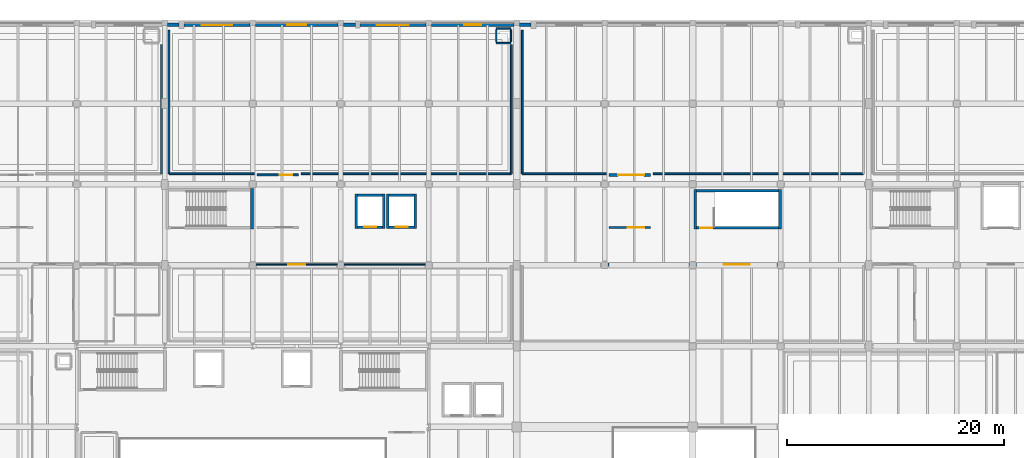
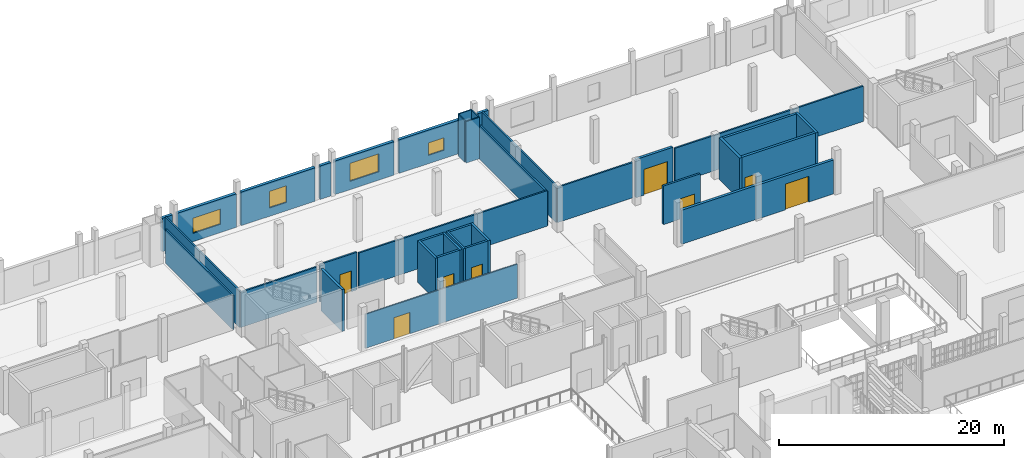
# One storey, part 93 of 104: 37 walls, 8 doors, 4 windows, 12 openings.
"""IFC4 building model written with IfcOpenShell, lengths in metres."""

from ifc_helpers import new_model, si_unit, direction, frame, frame_2d, origin, place, context, subcontext, project, spatial, rectangle, extrude, material, layer, layer_set, type_object, element, fill, save


model = new_model("IFC4")

# Units and contexts
model_context = context("Model", 3, precision=1e-05, world=origin(), true_north=direction((0.0, 1.0)))
body_context = subcontext(model_context, "Body", "Model", "MODEL_VIEW")
ifc_project = project(units=[si_unit("LENGTHUNIT", "METRE"), si_unit("AREAUNIT", "SQUARE_METRE"), si_unit("VOLUMEUNIT", "CUBIC_METRE"), si_unit("PLANEANGLEUNIT", "RADIAN"), si_unit("MASSUNIT", "GRAM", prefix="KILO")], contexts=[model_context])

# Site, building, storey
site_placement = place(None, origin())
site = spatial("IfcSite", under=ifc_project, at=site_placement, CompositionType="ELEMENT")
building_placement = place(site_placement, origin())
building = spatial("IfcBuilding", under=site, at=building_placement, Name="Kaelora Sail Theatre", CompositionType="ELEMENT")
storey_placement = place(building_placement, frame((0.0, 0.0, 5.39990234375)))
storey = spatial("IfcBuildingStorey", under=building, at=storey_placement, Name="L01", CompositionType="ELEMENT", Elevation=5.39990234375)

# Wall
ifc_material_1 = material(Name="Concrete C40/50", Category="concrete")
ifc_layer_1 = layer(ifc_material_1, 0.25)
ifc_layer_set_1 = layer_set([ifc_layer_1], Name="Concrete C40/50")
wall_type_1 = type_object("IfcWallType", Name="ARC-WL-CW-250", PredefinedType="SHEAR", material=ifc_layer_set_1)
wall_1_placement = place(storey_placement, frame((41.925048828125, 94.10009765625, 0.0), z_axis=(0.0, 0.0, 1.0), x_axis=(0.0, 1.0, 0.0)))
element("IfcWall", 1, at=wall_1_placement, inside=storey, type_object=wall_type_1, Name="Stair shaft ST-K2 wall L01-E", PredefinedType="SHEAR", context=body_context, shape_type="SweptSolid", body=[
    extrude(rectangle(XDim=3.75, YDim=0.25, at=frame_2d((1.875, 0.0))), origin(), (0.0, 0.0, 1.0), 4.525146484375),
])

# Wall, opening, door
wall_2_placement = place(storey_placement, frame((82.85498046875, 94.22509765625, 0.0), z_axis=(0.0, 0.0, 1.0), x_axis=(1.0, 0.0, 0.0)))
wall_2 = element("IfcWall", 2, at=wall_2_placement, inside=storey, type_object=wall_type_1, Name="Stair shaft ST-K3 wall L01-S", PredefinedType="SHEAR", context=body_context, shape_type="SweptSolid", body=[
    extrude(rectangle(XDim=7.5400390625, YDim=0.25, at=frame_2d((3.77001953125, 0.0))), origin(), (0.0, 0.0, 1.0), 4.525146484375),
])
opening_1_placement = place(wall_2_placement, frame((0.320068359375, 0.0, 0.0)))
opening_1 = element("IfcOpeningElement", 3, at=opening_1_placement, cuts=wall_2, Name="Opening FD-02", PredefinedType="OPENING", context=body_context, shape_type="SweptSolid", body=[
    extrude(rectangle(XDim=1.10009765625, YDim=2.199951171875, at=frame_2d((0.550048828125, 1.10009765625))), frame((0.0, 0.135, 0.0), z_axis=(0.0, -1.0, 0.0), x_axis=(1.0, 0.0, 0.0)), (0.0, 0.0, 1.0), 0.27),
])
ifc_material_2 = material(Name="Acoustic steel single stair/lobby fire door EI 90-C", Category="steel")
door_type_1 = type_object("IfcDoorType", Name="ARC-DR-FD-02", OperationType="NOTDEFINED", PredefinedType="DOOR", material=ifc_material_2)
door_1_placement = place(opening_1_placement, origin())
door_1 = element("IfcDoor", 4, at=door_1_placement, inside=storey, type_object=door_type_1, Name="Stair ST-K3 door (L01)", OperationType="SINGLE_SWING_LEFT", OverallHeight=2.199951171875, OverallWidth=1.10009765625, PredefinedType="DOOR", context=body_context, shape_type="SweptSolid", body=[
    extrude(rectangle(XDim=1.10009765625, YDim=2.199951171875, at=frame_2d((0.550048828125, 1.10009765625))), frame((0.0, 0.02490234375, 0.0), z_axis=(0.0, -1.0, 0.0), x_axis=(1.0, 0.0, 0.0)), (0.0, 0.0, 1.0), 0.050048828125),
])
fill(opening_1, door_1)

# Walls
wall_3_placement = place(storey_placement, frame((82.85498046875, 97.625, 0.0), z_axis=(0.0, 0.0, 1.0), x_axis=(1.0, 0.0, 0.0)))
element("IfcWall", 5, at=wall_3_placement, inside=storey, type_object=wall_type_1, Name="Stair shaft ST-K3 wall L01-N", PredefinedType="SHEAR", context=body_context, shape_type="SweptSolid", body=[
    extrude(rectangle(XDim=7.5400390625, YDim=0.25, at=frame_2d((3.77001953125, 0.0))), origin(), (0.0, 0.0, 1.0), 4.525146484375),
])
for number, where, z_axis, x_axis, name in (
    (6, (82.72509765625, 94.10009765625, 0.0), (0.0, 0.0, 1.0), (0.0, 1.0, 0.0), "Stair shaft ST-K3 wall L01-W"),
    (7, (90.52490234375, 94.10009765625, 0.0), (0.0, 0.0, 1.0), (0.0, 1.0, 0.0), "Stair shaft ST-K3 wall L01-E"),
):
    element("IfcWall", number, at=place(storey_placement, frame(where, z_axis=z_axis, x_axis=x_axis)), inside=storey, type_object=wall_type_1, Name=name, PredefinedType="SHEAR", context=body_context, shape_type="SweptSolid", body=[
        extrude(rectangle(XDim=3.64990234375, YDim=0.25, at=frame_2d((1.824951171875, 0.0))), origin(), (0.0, 0.0, 1.0), 4.525146484375),
    ])

# Wall, opening, window
ifc_material_3 = material(Name="Concrete C40/50", Category="concrete")
ifc_layer_2 = layer(ifc_material_3, 0.300048828125)
ifc_layer_set_2 = layer_set([ifc_layer_2], Name="Concrete C40/50")
wall_type_2 = type_object("IfcWallType", Name="ARC-WL-EW-300", PredefinedType="SOLIDWALL", material=ifc_layer_set_2)
wall_4_placement = place(storey_placement, frame((35.679931640625, 112.919921875, 0.0), z_axis=(0.0, 0.0, 1.0), x_axis=(1.0, 0.0, 0.0)))
wall_4 = element("IfcWall", 8, at=wall_4_placement, inside=storey, type_object=wall_type_2, Name="North Conservatory/Production Facade Wall L01 B05", PredefinedType="SOLIDWALL", context=body_context, shape_type="SweptSolid", body=[
    extrude(rectangle(XDim=6.065185546875, YDim=0.300048828125, at=frame_2d((3.03271484375, 0.0))), origin(), (0.0, 0.0, 1.0), 3.63720703125),
])
opening_2_placement = place(wall_4_placement, frame((1.60693359375, 0.0, 0.89990234375)))
opening_2 = element("IfcOpeningElement", 9, at=opening_2_placement, cuts=wall_4, Name="Opening W-20", PredefinedType="OPENING", context=body_context, shape_type="SweptSolid", body=[
    extrude(rectangle(XDim=2.85009765625, YDim=1.64990234375, at=frame_2d((1.425048828125, 0.824951171875))), frame((0.0, 0.159902, 0.0), z_axis=(0.0, -1.0, 0.0), x_axis=(1.0, 0.0, 0.0)), (0.0, 0.0, 1.0), 0.320049),
])
ifc_material_4 = material(Name="Thermally broken aluminium and low-E double glazing", Category="aluminium")
window_type_1 = type_object("IfcWindowType", Name="ARC-WIN-W-20", PartitioningType="SINGLE_PANEL", PredefinedType="WINDOW", material=ifc_material_4)
window_1_placement = place(opening_2_placement, origin())
window_1 = element("IfcWindow", 10, at=window_1_placement, inside=storey, type_object=window_type_1, Name="North facade window L01 B05", OverallHeight=1.64990234375, OverallWidth=2.85009765625, PartitioningType="SINGLE_PANEL", PredefinedType="WINDOW", context=body_context, shape_type="SweptSolid", body=[
    extrude(rectangle(XDim=2.85009765625, YDim=1.64990234375, at=frame_2d((1.425048828125, 0.824951171875))), frame((0.0, 0.030029296875, 0.0), z_axis=(0.0, -1.0, 0.0), x_axis=(1.0, 0.0, 0.0)), (0.0, 0.0, 1.0), 0.06005859375),
])
fill(opening_2, window_1)

# Wall
wall_5_placement = place(storey_placement, frame((34.155029296875, 112.919921875, 0.0), z_axis=(0.0, 0.0, 1.0), x_axis=(1.0, 0.0, 0.0)))
element("IfcWall", 11, at=wall_5_placement, inside=storey, type_object=wall_type_2, Name="North Facade Pilaster Spandrel Pier L01 B05", PredefinedType="SOLIDWALL", context=body_context, shape_type="SweptSolid", body=[
    extrude(rectangle(XDim=1.06494140625, YDim=0.300048828125, at=frame_2d((0.532470703125, 0.0))), origin(), (0.0, 0.0, 1.0), 3.63720703125),
])

# Wall, opening, window
wall_6_placement = place(storey_placement, frame((42.2548828125, 112.919921875, 0.0), z_axis=(0.0, 0.0, 1.0), x_axis=(1.0, 0.0, 0.0)))
wall_6 = element("IfcWall", 12, at=wall_6_placement, inside=storey, type_object=wall_type_2, Name="North Conservatory/Production Facade Wall L01 B06", PredefinedType="SOLIDWALL", context=body_context, shape_type="SweptSolid", body=[
    extrude(rectangle(XDim=7.590087890625, YDim=0.300048828125, at=frame_2d((3.794921875, 0.0))), origin(), (0.0, 0.0, 1.0), 3.63720703125),
])
opening_3_placement = place(wall_6_placement, frame((2.919921875, 0.0, 0.89990234375)))
opening_3 = element("IfcOpeningElement", 13, at=opening_3_placement, cuts=wall_6, Name="Opening W-23", PredefinedType="OPENING", context=body_context, shape_type="SweptSolid", body=[
    extrude(rectangle(XDim=1.75, YDim=1.800048828125, at=frame_2d((0.875, 0.89990234375))), frame((0.0, 0.159902, 0.0), z_axis=(0.0, -1.0, 0.0), x_axis=(1.0, 0.0, 0.0)), (0.0, 0.0, 1.0), 0.320049),
])
ifc_material_5 = material(Name="Thermally broken aluminium and low-E double glazing", Category="aluminium")
window_type_2 = type_object("IfcWindowType", Name="ARC-WIN-W-23", PartitioningType="SINGLE_PANEL", PredefinedType="WINDOW", material=ifc_material_5)
window_2_placement = place(opening_3_placement, origin())
window_2 = element("IfcWindow", 14, at=window_2_placement, inside=storey, type_object=window_type_2, Name="North facade window L01 B06", OverallHeight=1.800048828125, OverallWidth=1.75, PartitioningType="SINGLE_PANEL", PredefinedType="WINDOW", context=body_context, shape_type="SweptSolid", body=[
    extrude(rectangle(XDim=1.75, YDim=1.800048828125, at=frame_2d((0.875, 0.89990234375))), frame((0.0, 0.030029296875, 0.0), z_axis=(0.0, -1.0, 0.0), x_axis=(1.0, 0.0, 0.0)), (0.0, 0.0, 1.0), 0.06005859375),
])
fill(opening_3, window_2)

wall_7_placement = place(storey_placement, frame((51.85498046875, 112.919921875, 0.0), z_axis=(0.0, 0.0, 1.0), x_axis=(1.0, 0.0, 0.0)))
wall_7 = element("IfcWall", 15, at=wall_7_placement, inside=storey, type_object=wall_type_2, Name="North Conservatory/Production Facade Wall L01 B07", PredefinedType="SOLIDWALL", context=body_context, shape_type="SweptSolid", body=[
    extrude(rectangle(XDim=6.090087890625, YDim=0.300048828125, at=frame_2d((3.044921875, 0.0))), origin(), (0.0, 0.0, 1.0), 3.63720703125),
])
opening_4_placement = place(wall_7_placement, frame((1.570068359375, 0.0, 0.89990234375)))
opening_4 = element("IfcOpeningElement", 16, at=opening_4_placement, cuts=wall_7, Name="Opening W-26", PredefinedType="OPENING", context=body_context, shape_type="SweptSolid", body=[
    extrude(rectangle(XDim=2.949951171875, YDim=1.949951171875, at=frame_2d((1.47509765625, 0.97509765625))), frame((0.0, 0.159902, 0.0), z_axis=(0.0, -1.0, 0.0), x_axis=(1.0, 0.0, 0.0)), (0.0, 0.0, 1.0), 0.320049),
])
ifc_material_6 = material(Name="Thermally broken aluminium and low-E double glazing", Category="aluminium")
window_type_3 = type_object("IfcWindowType", Name="ARC-WIN-W-26", PartitioningType="SINGLE_PANEL", PredefinedType="WINDOW", material=ifc_material_6)
window_3_placement = place(opening_4_placement, origin())
window_3 = element("IfcWindow", 17, at=window_3_placement, inside=storey, type_object=window_type_3, Name="North facade window L01 B07", OverallHeight=1.949951171875, OverallWidth=2.949951171875, PartitioningType="SINGLE_PANEL", PredefinedType="WINDOW", context=body_context, shape_type="SweptSolid", body=[
    extrude(rectangle(XDim=2.949951171875, YDim=1.949951171875, at=frame_2d((1.47509765625, 0.97509765625))), frame((0.0, 0.030029296875, 0.0), z_axis=(0.0, -1.0, 0.0), x_axis=(1.0, 0.0, 0.0)), (0.0, 0.0, 1.0), 0.06005859375),
])
fill(opening_4, window_3)

# Wall
wall_8_placement = place(storey_placement, frame((50.35498046875, 112.919921875, 0.0), z_axis=(0.0, 0.0, 1.0), x_axis=(1.0, 0.0, 0.0)))
element("IfcWall", 18, at=wall_8_placement, inside=storey, type_object=wall_type_2, Name="North Facade Pilaster Spandrel Pier L01 B07", PredefinedType="SOLIDWALL", context=body_context, shape_type="SweptSolid", body=[
    extrude(rectangle(XDim=1.090087890625, YDim=0.300048828125, at=frame_2d((0.544921875, 0.0))), origin(), (0.0, 0.0, 1.0), 3.63720703125),
])

# Wall, opening, window
wall_9_placement = place(storey_placement, frame((58.455078125, 112.919921875, 0.0), z_axis=(0.0, 0.0, 1.0), x_axis=(1.0, 0.0, 0.0)))
wall_9 = element("IfcWall", 19, at=wall_9_placement, inside=storey, type_object=wall_type_2, Name="North Conservatory/Production Facade Wall L01 B08", PredefinedType="SOLIDWALL", context=body_context, shape_type="SweptSolid", body=[
    extrude(rectangle(XDim=7.58984375, YDim=0.300048828125, at=frame_2d((3.794921875, 0.0))), origin(), (0.0, 0.0, 1.0), 3.63720703125),
])
opening_5_placement = place(wall_9_placement, frame((2.9951171875, 0.0, 0.89990234375)))
opening_5 = element("IfcOpeningElement", 20, at=opening_5_placement, cuts=wall_9, Name="Opening W-29", PredefinedType="OPENING", context=body_context, shape_type="SweptSolid", body=[
    extrude(rectangle(XDim=1.60009765625, YDim=1.35009765625, at=frame_2d((0.800048828125, 0.675048828125))), frame((0.0, 0.159902, 0.0), z_axis=(0.0, -1.0, 0.0), x_axis=(1.0, 0.0, 0.0)), (0.0, 0.0, 1.0), 0.320049),
])
ifc_material_7 = material(Name="Thermally broken aluminium and low-E double glazing", Category="aluminium")
window_type_4 = type_object("IfcWindowType", Name="ARC-WIN-W-29", PartitioningType="SINGLE_PANEL", PredefinedType="WINDOW", material=ifc_material_7)
window_4_placement = place(opening_5_placement, origin())
window_4 = element("IfcWindow", 21, at=window_4_placement, inside=storey, type_object=window_type_4, Name="North facade window L01 B08", OverallHeight=1.35009765625, OverallWidth=1.60009765625, PartitioningType="SINGLE_PANEL", PredefinedType="WINDOW", context=body_context, shape_type="SweptSolid", body=[
    extrude(rectangle(XDim=1.60009765625, YDim=1.35009765625, at=frame_2d((0.800048828125, 0.675048828125))), frame((0.0, 0.030029296875, 0.0), z_axis=(0.0, -1.0, 0.0), x_axis=(1.0, 0.0, 0.0)), (0.0, 0.0, 1.0), 0.06005859375),
])
fill(opening_5, window_4)

# Walls
wall_10_placement = place(storey_placement, frame((66.554931640625, 112.919921875, 0.0), z_axis=(0.0, 0.0, 1.0), x_axis=(1.0, 0.0, 0.0)))
element("IfcWall", 22, at=wall_10_placement, inside=storey, type_object=wall_type_2, Name="North Facade Pilaster Spandrel Pier L01 B09", PredefinedType="SOLIDWALL", context=body_context, shape_type="SweptSolid", body=[
    extrude(rectangle(XDim=1.065185546875, YDim=0.300048828125, at=frame_2d((0.53271484375, 0.0))), origin(), (0.0, 0.0, 1.0), 3.63720703125),
])
ifc_material_8 = material(Name="Standard metal-stud partition 120 mm", Category="gypsum")
ifc_layer_3 = layer(ifc_material_8, 0.1201171875)
ifc_layer_set_3 = layer_set([ifc_layer_3], Name="Standard metal-stud partition 120 mm")
wall_type_3 = type_object("IfcWallType", Name="ARC-WL-PT-120", PredefinedType="PARTITIONING", material=ifc_layer_set_3)
for number, where, z_axis, x_axis, name in (
    (23, (64.405029296875, 111.219970703125, 0.0), (0.0, 0.0, 1.0), (1.0, 0.0, 0.0), "MEP riser shaft wall NW2-L01-S"),
    (24, (64.405029296875, 112.580078125, 0.0), (0.0, 0.0, 1.0), (1.0, 0.0, 0.0), "MEP riser shaft wall NW2-L01-N"),
):
    element("IfcWall", number, at=place(storey_placement, frame(where, z_axis=z_axis, x_axis=x_axis)), inside=storey, type_object=wall_type_3, Name=name, PredefinedType="PARTITIONING", context=body_context, shape_type="SweptSolid", body=[
        extrude(rectangle(XDim=1.35986328125, YDim=0.1201171875, at=frame_2d((0.679931640625, 0.0))), origin(), (0.0, 0.0, 1.0), 4.505126953125),
    ])
for number, where, z_axis, x_axis, name in (
    (25, (64.405029296875, 111.340087890625, 0.0), (0.0, 0.0, 1.0), (0.0, 1.0, 0.0), "MEP riser shaft wall NW2-L01-W"),
    (26, (65.764892578125, 111.340087890625, 0.0), (0.0, 0.0, 1.0), (0.0, 1.0, 0.0), "MEP riser shaft wall NW2-L01-E"),
):
    element("IfcWall", number, at=place(storey_placement, frame(where, z_axis=z_axis, x_axis=x_axis)), inside=storey, type_object=wall_type_3, Name=name, PredefinedType="PARTITIONING", context=body_context, shape_type="SweptSolid", body=[
        extrude(rectangle(XDim=1.119873046875, YDim=0.1201171875, at=frame_2d((0.56005859375, 0.0))), origin(), (0.0, 0.0, 1.0), 4.505126953125),
    ])

# Wall, opening, door
wall_11_placement = place(storey_placement, frame((42.304931640625, 90.85009765625, 0.0), z_axis=(0.0, 0.0, 1.0), x_axis=(1.0, 0.0, 0.0)))
wall_11 = element("IfcWall", 27, at=wall_11_placement, inside=storey, type_object=wall_type_3, Name="Interior acoustic partition L01-COR-BOH/L01-WIG-MAKEUP", PredefinedType="PARTITIONING", context=body_context, shape_type="SweptSolid", body=[
    extrude(rectangle(XDim=15.590087890625, YDim=0.1201171875, at=frame_2d((7.794921875, 0.0))), origin(), (0.0, 0.0, 1.0), 3.68701171875),
])
opening_6_placement = place(wall_11_placement, frame((2.948974609375, 0.0, 0.0)))
opening_6 = element("IfcOpeningElement", 28, at=opening_6_placement, cuts=wall_11, Name="Opening ID-04", PredefinedType="OPENING", context=body_context, shape_type="SweptSolid", body=[
    extrude(rectangle(XDim=1.60009765625, YDim=2.300048828125, at=frame_2d((0.800048828125, 1.14990234375))), frame((0.0, 0.070059, 0.0), z_axis=(0.0, -1.0, 0.0), x_axis=(1.0, 0.0, 0.0)), (0.0, 0.0, 1.0), 0.140117),
])
ifc_material_9 = material(Name="Rehearsal hall acoustic timber double door", Category="wood")
door_type_2 = type_object("IfcDoorType", Name="ARC-DR-ID-04", OperationType="NOTDEFINED", PredefinedType="DOOR", material=ifc_material_9)
door_2_placement = place(opening_6_placement, origin())
door_2 = element("IfcDoor", 29, at=door_2_placement, inside=storey, type_object=door_type_2, Name="Interior door L01-COR-BOH to L01-WIG-MAKEUP", OperationType="DOUBLE_DOOR_SINGLE_SWING", OverallHeight=2.300048828125, OverallWidth=1.60009765625, PredefinedType="DOOR", context=body_context, shape_type="SweptSolid", body=[
    extrude(rectangle(XDim=1.60009765625, YDim=2.300048828125, at=frame_2d((0.800048828125, 1.14990234375))), frame((0.0, 0.02490234375, 0.0), z_axis=(0.0, -1.0, 0.0), x_axis=(1.0, 0.0, 0.0)), (0.0, 0.0, 1.0), 0.050048828125),
])
fill(opening_6, door_2)

# Walls
ifc_material_10 = material(Name="Acoustic metal-stud plasterboard 160 mm", Category="gypsum")
ifc_layer_4 = layer(ifc_material_10, 0.159912109375)
ifc_layer_set_4 = layer_set([ifc_layer_4], Name="Acoustic metal-stud plasterboard 160 mm")
wall_type_4 = type_object("IfcWallType", Name="ARC-WL-PT-160", PredefinedType="PARTITIONING", material=ifc_layer_set_4)
wall_12_placement = place(storey_placement, frame((33.60009765625, 99.199951171875, 0.0), z_axis=(0.0, 0.0, 1.0), x_axis=(0.0, 1.0, 0.0)))
element("IfcWall", 30, at=wall_12_placement, inside=storey, type_object=wall_type_4, Name="Room enclosure wall L01-CHORUS-F-E1", PredefinedType="PARTITIONING", context=body_context, shape_type="SweptSolid", body=[
    extrude(rectangle(XDim=11.89013671875, YDim=0.159912109375, at=frame_2d((5.945068359375, 0.0))), origin(), (0.0, 0.0, 1.0), 3.68701171875),
])
wall_13_placement = place(storey_placement, frame((34.300048828125, 99.199951171875, 0.0), z_axis=(0.0, 0.0, 1.0), x_axis=(1.0, 0.0, 0.0)))
element("IfcWall", 31, at=wall_13_placement, inside=storey, type_object=wall_type_4, Name="Room enclosure wall L01-CHORUS-M-S1", PredefinedType="PARTITIONING", context=body_context, shape_type="SweptSolid", body=[
    extrude(rectangle(XDim=7.849853515625, YDim=0.159912109375, at=frame_2d((3.9248046875, 0.0))), origin(), (0.0, 0.0, 1.0), 3.837158203125),
])
wall_14_placement = place(storey_placement, frame((46.449951171875, 99.199951171875, 0.0), z_axis=(0.0, 0.0, 1.0), x_axis=(1.0, 0.0, 0.0)))
element("IfcWall", 32, at=wall_14_placement, inside=storey, type_object=wall_type_4, Name="Room enclosure wall L01-CHORUS-M-S2", PredefinedType="PARTITIONING", context=body_context, shape_type="SweptSolid", body=[
    extrude(rectangle(XDim=19.35009765625, YDim=0.159912109375, at=frame_2d((9.675048828125, 0.0))), origin(), (0.0, 0.0, 1.0), 3.837158203125),
])
wall_15_placement = place(storey_placement, frame((34.300048828125, 99.199951171875, 0.0), z_axis=(0.0, 0.0, 1.0), x_axis=(0.0, 1.0, 0.0)))
element("IfcWall", 33, at=wall_15_placement, inside=storey, type_object=wall_type_4, Name="Room enclosure wall L01-CHORUS-M-W1", PredefinedType="PARTITIONING", context=body_context, shape_type="SweptSolid", body=[
    extrude(rectangle(XDim=13.199951171875, YDim=0.159912109375, at=frame_2d((6.60009765625, 0.0))), origin(), (0.0, 0.0, 1.0), 3.987060546875),
])
wall_16_placement = place(storey_placement, frame((65.800048828125, 99.199951171875, 0.0), z_axis=(0.0, 0.0, 1.0), x_axis=(0.0, 1.0, 0.0)))
element("IfcWall", 34, at=wall_16_placement, inside=storey, type_object=wall_type_4, Name="Room enclosure wall L01-CHORUS-M-E1", PredefinedType="PARTITIONING", context=body_context, shape_type="SweptSolid", body=[
    extrude(rectangle(XDim=11.89013671875, YDim=0.159912109375, at=frame_2d((5.945068359375, 0.0))), origin(), (0.0, 0.0, 1.0), 3.68701171875),
])
wall_17_placement = place(storey_placement, frame((66.800048828125, 99.199951171875, 0.0), z_axis=(0.0, 0.0, 1.0), x_axis=(1.0, 0.0, 0.0)))
element("IfcWall", 35, at=wall_17_placement, inside=storey, type_object=wall_type_4, Name="Room enclosure wall L01-WARDROBE-S1", PredefinedType="PARTITIONING", context=body_context, shape_type="SweptSolid", body=[
    extrude(rectangle(XDim=7.75, YDim=0.159912109375, at=frame_2d((3.875, 0.0))), origin(), (0.0, 0.0, 1.0), 3.837158203125),
])
wall_18_placement = place(storey_placement, frame((78.85009765625, 99.199951171875, 0.0), z_axis=(0.0, 0.0, 1.0), x_axis=(1.0, 0.0, 0.0)))
element("IfcWall", 36, at=wall_18_placement, inside=storey, type_object=wall_type_4, Name="Room enclosure wall L01-WARDROBE-S2", PredefinedType="PARTITIONING", context=body_context, shape_type="SweptSolid", body=[
    extrude(rectangle(XDim=19.349853515625, YDim=0.159912109375, at=frame_2d((9.6748046875, 0.0))), origin(), (0.0, 0.0, 1.0), 3.837158203125),
])
wall_19_placement = place(storey_placement, frame((66.800048828125, 99.199951171875, 0.0), z_axis=(0.0, 0.0, 1.0), x_axis=(0.0, 1.0, 0.0)))
element("IfcWall", 37, at=wall_19_placement, inside=storey, type_object=wall_type_4, Name="Room enclosure wall L01-WARDROBE-W1", PredefinedType="PARTITIONING", context=body_context, shape_type="SweptSolid", body=[
    extrude(rectangle(XDim=13.199951171875, YDim=0.159912109375, at=frame_2d((6.60009765625, 0.0))), origin(), (0.0, 0.0, 1.0), 3.987060546875),
])

# Wall, opening, door
ifc_material_11 = material(Name="Workshop acoustic stud partition 170 mm", Category="gypsum")
ifc_layer_5 = layer(ifc_material_11, 0.169921875)
ifc_layer_set_5 = layer_set([ifc_layer_5], Name="Workshop acoustic stud partition 170 mm")
wall_type_5 = type_object("IfcWallType", Name="ARC-WL-PT-170", PredefinedType="PARTITIONING", material=ifc_layer_set_5)
wall_20_placement = place(storey_placement, frame((42.39990234375, 99.10009765625, 0.0), z_axis=(0.0, 0.0, 1.0), x_axis=(1.0, 0.0, 0.0)))
wall_20 = element("IfcWall", 38, at=wall_20_placement, inside=storey, type_object=wall_type_5, Name="Interior acoustic partition L01-COR-SP2/L01-CHORUS-M", PredefinedType="PARTITIONING", context=body_context, shape_type="SweptSolid", body=[
    extrude(rectangle(XDim=3.800048828125, YDim=0.169921875, at=frame_2d((1.89990234375, 0.0))), origin(), (0.0, 0.0, 1.0), 4.087158203125),
])
opening_7_placement = place(wall_20_placement, frame((2.070068359375, 0.0, 0.0)))
opening_7 = element("IfcOpeningElement", 39, at=opening_7_placement, cuts=wall_20, Name="Opening ID-07", PredefinedType="OPENING", context=body_context, shape_type="SweptSolid", body=[
    extrude(rectangle(XDim=1.14990234375, YDim=2.25, at=frame_2d((0.574951171875, 1.125))), frame((0.0, 0.094961, 0.0), z_axis=(0.0, -1.0, 0.0), x_axis=(1.0, 0.0, 0.0)), (0.0, 0.0, 1.0), 0.189922),
])
ifc_material_12 = material(Name="Chorus ensemble wide single door", Category="steel")
door_type_3 = type_object("IfcDoorType", Name="ARC-DR-ID-07", OperationType="NOTDEFINED", PredefinedType="DOOR", material=ifc_material_12)
door_3_placement = place(opening_7_placement, origin())
door_3 = element("IfcDoor", 40, at=door_3_placement, inside=storey, type_object=door_type_3, Name="Interior door L01-COR-SP2 to L01-CHORUS-M", OperationType="SINGLE_SWING_RIGHT", OverallHeight=2.25, OverallWidth=1.14990234375, PredefinedType="DOOR", context=body_context, shape_type="SweptSolid", body=[
    extrude(rectangle(XDim=1.14990234375, YDim=2.25, at=frame_2d((0.574951171875, 1.125))), frame((0.0, 0.02490234375, 0.0), z_axis=(0.0, -1.0, 0.0), x_axis=(1.0, 0.0, 0.0)), (0.0, 0.0, 1.0), 0.050048828125),
])
fill(opening_7, door_3)

ifc_material_13 = material(Name="Acoustic double-stud plasterboard 200 mm", Category="gypsum")
ifc_layer_6 = layer(ifc_material_13, 0.199951171875)
ifc_layer_set_6 = layer_set([ifc_layer_6], Name="Acoustic double-stud plasterboard 200 mm")
wall_type_6 = type_object("IfcWallType", Name="ARC-WL-PT-200", PredefinedType="PARTITIONING", material=ifc_layer_set_6)
wall_21_placement = place(storey_placement, frame((74.800048828125, 94.25, 0.0), z_axis=(0.0, 0.0, 1.0), x_axis=(1.0, 0.0, 0.0)))
wall_21 = element("IfcWall", 41, at=wall_21_placement, inside=storey, type_object=wall_type_6, Name="Interior acoustic partition L01-COR-BOH/L01-COR-SP3", PredefinedType="PARTITIONING", context=body_context, shape_type="SweptSolid", body=[
    extrude(rectangle(XDim=3.800048828125, YDim=0.199951171875, at=frame_2d((1.89990234375, 0.0))), origin(), (0.0, 0.0, 1.0), 4.18701171875),
])
opening_8_placement = place(wall_21_placement, frame((1.719970703125, 0.0, 0.0)))
opening_8 = element("IfcOpeningElement", 42, at=opening_8_placement, cuts=wall_21, Name="Opening FD-01", PredefinedType="OPENING", context=body_context, shape_type="SweptSolid", body=[
    extrude(rectangle(XDim=1.5, YDim=2.199951171875, at=frame_2d((0.75, 1.10009765625))), frame((0.0, 0.110098, 0.0), z_axis=(0.0, -1.0, 0.0), x_axis=(1.0, 0.0, 0.0)), (0.0, 0.0, 1.0), 0.219951),
])
ifc_material_14 = material(Name="Acoustic steel double fire door EI 90-C", Category="steel")
door_type_4 = type_object("IfcDoorType", Name="ARC-DR-FD-01", OperationType="NOTDEFINED", PredefinedType="DOOR", material=ifc_material_14)
door_4_placement = place(opening_8_placement, origin())
door_4 = element("IfcDoor", 43, at=door_4_placement, inside=storey, type_object=door_type_4, Name="Interior door L01-COR-BOH to L01-COR-SP3", OperationType="DOUBLE_DOOR_SINGLE_SWING", OverallHeight=2.199951171875, OverallWidth=1.5, PredefinedType="DOOR", context=body_context, shape_type="SweptSolid", body=[
    extrude(rectangle(XDim=1.5, YDim=2.199951171875, at=frame_2d((0.75, 1.10009765625))), frame((0.0, 0.02490234375, 0.0), z_axis=(0.0, -1.0, 0.0), x_axis=(1.0, 0.0, 0.0)), (0.0, 0.0, 1.0), 0.050048828125),
])
fill(opening_8, door_4)

ifc_material_15 = material(Name="Concrete C45/55", Category="concrete")
ifc_layer_7 = layer(ifc_material_15, 0.27001953125)
ifc_layer_set_7 = layer_set([ifc_layer_7], Name="Concrete C45/55")
wall_type_7 = type_object("IfcWallType", Name="ARC-WL-PW-270", PredefinedType="SOLIDWALL", material=ifc_layer_set_7)
wall_22_placement = place(storey_placement, frame((74.705078125, 90.85009765625, 0.0), z_axis=(0.0, 0.0, 1.0), x_axis=(1.0, 0.0, 0.0)))
wall_22 = element("IfcWall", 44, at=wall_22_placement, inside=storey, type_object=wall_type_7, Name="Interior acoustic partition L01-COR-BOH/L01-DYE-SHOP", PredefinedType="SOLIDWALL", context=body_context, shape_type="SweptSolid", body=[
    extrude(rectangle(XDim=15.58984375, YDim=0.27001953125, at=frame_2d((7.794921875, 0.0))), origin(), (0.0, 0.0, 1.0), 3.68701171875),
])
opening_9_placement = place(wall_22_placement, frame((10.637939453125, 0.0, 0.0)))
opening_9 = element("IfcOpeningElement", 45, at=opening_9_placement, cuts=wall_22, Name="Opening ID-05", PredefinedType="OPENING", context=body_context, shape_type="SweptSolid", body=[
    extrude(rectangle(XDim=2.39990234375, YDim=2.800048828125, at=frame_2d((1.199951171875, 1.39990234375))), frame((0.0, 0.14501, 0.0), z_axis=(0.0, -1.0, 0.0), x_axis=(1.0, 0.0, 0.0)), (0.0, 0.0, 1.0), 0.29002),
])
ifc_material_16 = material(Name="Scenery workshop oversize acoustic double door", Category="steel")
door_type_5 = type_object("IfcDoorType", Name="ARC-DR-ID-05", OperationType="NOTDEFINED", PredefinedType="DOOR", material=ifc_material_16)
door_5_placement = place(opening_9_placement, origin())
door_5 = element("IfcDoor", 46, at=door_5_placement, inside=storey, type_object=door_type_5, Name="Interior door L01-COR-BOH to L01-DYE-SHOP", OperationType="DOUBLE_DOOR_SINGLE_SWING", OverallHeight=2.800048828125, OverallWidth=2.39990234375, PredefinedType="DOOR", context=body_context, shape_type="SweptSolid", body=[
    extrude(rectangle(XDim=2.39990234375, YDim=2.800048828125, at=frame_2d((1.199951171875, 1.39990234375))), frame((0.0, 0.02490234375, 0.0), z_axis=(0.0, -1.0, 0.0), x_axis=(1.0, 0.0, 0.0)), (0.0, 0.0, 1.0), 0.050048828125),
])
fill(opening_9, door_5)

wall_23_placement = place(storey_placement, frame((74.800048828125, 99.10009765625, 0.0), z_axis=(0.0, 0.0, 1.0), x_axis=(1.0, 0.0, 0.0)))
wall_23 = element("IfcWall", 47, at=wall_23_placement, inside=storey, type_object=wall_type_7, Name="Interior acoustic partition L01-COR-SP3/L01-WARDROBE", PredefinedType="SOLIDWALL", context=body_context, shape_type="SweptSolid", body=[
    extrude(rectangle(XDim=3.800048828125, YDim=0.27001953125, at=frame_2d((1.89990234375, 0.0))), origin(), (0.0, 0.0, 1.0), 4.156982421875),
])
opening_10_placement = place(wall_23_placement, frame((0.820068359375, 0.0, 0.0)))
opening_10 = element("IfcOpeningElement", 48, at=opening_10_placement, cuts=wall_23, Name="Opening ID-05", PredefinedType="OPENING", context=body_context, shape_type="SweptSolid", body=[
    extrude(rectangle(XDim=2.39990234375, YDim=2.800048828125, at=frame_2d((1.199951171875, 1.39990234375))), frame((0.0, 0.14501, 0.0), z_axis=(0.0, -1.0, 0.0), x_axis=(1.0, 0.0, 0.0)), (0.0, 0.0, 1.0), 0.29002),
])
door_6_placement = place(opening_10_placement, origin())
door_6 = element("IfcDoor", 49, at=door_6_placement, inside=storey, type_object=door_type_5, Name="Interior door L01-COR-SP3 to L01-WARDROBE", OperationType="DOUBLE_DOOR_SINGLE_SWING", OverallHeight=2.800048828125, OverallWidth=2.39990234375, PredefinedType="DOOR", context=body_context, shape_type="SweptSolid", body=[
    extrude(rectangle(XDim=2.39990234375, YDim=2.800048828125, at=frame_2d((1.199951171875, 1.39990234375))), frame((0.0, 0.02490234375, 0.0), z_axis=(0.0, -1.0, 0.0), x_axis=(1.0, 0.0, 0.0)), (0.0, 0.0, 1.0), 0.050048828125),
])
fill(opening_10, door_6)

ifc_material_17 = material(Name="Concrete C40/50", Category="concrete")
ifc_layer_8 = layer(ifc_material_17, 0.219970703125)
ifc_layer_set_8 = layer_set([ifc_layer_8], Name="Concrete C40/50")
wall_type_8 = type_object("IfcWallType", Name="ARC-WL-SW-220", PredefinedType="SOLIDWALL", material=ifc_layer_set_8)
wall_24_placement = place(storey_placement, frame((51.64990234375, 94.2900390625, 0.0), z_axis=(0.0, 0.0, 1.0), x_axis=(1.0, 0.0, 0.0)))
wall_24 = element("IfcWall", 50, at=wall_24_placement, inside=storey, type_object=wall_type_8, Name="Lift PL-03 shaft wall L01-S", PredefinedType="SOLIDWALL", context=body_context, shape_type="SweptSolid", body=[
    extrude(rectangle(XDim=2.300048828125, YDim=0.219970703125, at=frame_2d((1.14990234375, 0.0))), origin(), (0.0, 0.0, 1.0), 4.525146484375),
])
opening_11_placement = place(wall_24_placement, frame((0.60009765625, 0.0, 0.0)))
opening_11 = element("IfcOpeningElement", 51, at=opening_11_placement, cuts=wall_24, Name="Opening LD-PAX", PredefinedType="OPENING", context=body_context, shape_type="SweptSolid", body=[
    extrude(rectangle(XDim=1.10009765625, YDim=2.199951171875, at=frame_2d((0.550048828125, 1.10009765625))), frame((0.0, 0.119863, 0.0), z_axis=(0.0, -1.0, 0.0), x_axis=(1.0, 0.0, 0.0)), (0.0, 0.0, 1.0), 0.239971),
])
ifc_material_18 = material(Name="Brushed bronze passenger lift landing door EI 90", Category="steel")
door_type_6 = type_object("IfcDoorType", Name="ARC-DR-LD-PAX", OperationType="NOTDEFINED", PredefinedType="DOOR", material=ifc_material_18)
door_7_placement = place(opening_11_placement, origin())
door_7 = element("IfcDoor", 52, at=door_7_placement, inside=storey, type_object=door_type_6, Name="Lift PL-03 sliding landing door (L01)", OperationType="SLIDING_TO_LEFT", OverallHeight=2.199951171875, OverallWidth=1.10009765625, PredefinedType="DOOR", context=body_context, shape_type="SweptSolid", body=[
    extrude(rectangle(XDim=1.10009765625, YDim=2.199951171875, at=frame_2d((0.550048828125, 1.10009765625))), frame((0.0, 0.02490234375, 0.0), z_axis=(0.0, -1.0, 0.0), x_axis=(1.0, 0.0, 0.0)), (0.0, 0.0, 1.0), 0.050048828125),
])
fill(opening_11, door_7)

# Walls
wall_25_placement = place(storey_placement, frame((51.64990234375, 97.2099609375, 0.0), z_axis=(0.0, 0.0, 1.0), x_axis=(1.0, 0.0, 0.0)))
element("IfcWall", 53, at=wall_25_placement, inside=storey, type_object=wall_type_8, Name="Lift PL-03 shaft wall L01-N", PredefinedType="SOLIDWALL", context=body_context, shape_type="SweptSolid", body=[
    extrude(rectangle(XDim=2.300048828125, YDim=0.219970703125, at=frame_2d((1.14990234375, 0.0))), origin(), (0.0, 0.0, 1.0), 4.525146484375),
])
for number, where, z_axis, x_axis, name in (
    (54, (51.5400390625, 94.179931640625, 0.0), (0.0, 0.0, 1.0), (0.0, 1.0, 0.0), "Lift PL-03 shaft wall L01-W"),
    (55, (54.06005859375, 94.179931640625, 0.0), (0.0, 0.0, 1.0), (0.0, 1.0, 0.0), "Lift PL-03 shaft wall L01-E"),
):
    element("IfcWall", number, at=place(storey_placement, frame(where, z_axis=z_axis, x_axis=x_axis)), inside=storey, type_object=wall_type_8, Name=name, PredefinedType="SOLIDWALL", context=body_context, shape_type="SweptSolid", body=[
        extrude(rectangle(XDim=3.14013671875, YDim=0.219970703125, at=frame_2d((1.570068359375, 0.0))), origin(), (0.0, 0.0, 1.0), 4.525146484375),
    ])

# Wall, opening, door
wall_26_placement = place(storey_placement, frame((54.550048828125, 94.2900390625, 0.0), z_axis=(0.0, 0.0, 1.0), x_axis=(1.0, 0.0, 0.0)))
wall_26 = element("IfcWall", 56, at=wall_26_placement, inside=storey, type_object=wall_type_8, Name="Lift PL-04 shaft wall L01-S", PredefinedType="SOLIDWALL", context=body_context, shape_type="SweptSolid", body=[
    extrude(rectangle(XDim=2.300048828125, YDim=0.219970703125, at=frame_2d((1.14990234375, 0.0))), origin(), (0.0, 0.0, 1.0), 4.525146484375),
])
opening_12_placement = place(wall_26_placement, frame((0.60009765625, 0.0, 0.0)))
opening_12 = element("IfcOpeningElement", 57, at=opening_12_placement, cuts=wall_26, Name="Opening LD-PAX", PredefinedType="OPENING", context=body_context, shape_type="SweptSolid", body=[
    extrude(rectangle(XDim=1.10009765625, YDim=2.199951171875, at=frame_2d((0.550048828125, 1.10009765625))), frame((0.0, 0.119863, 0.0), z_axis=(0.0, -1.0, 0.0), x_axis=(1.0, 0.0, 0.0)), (0.0, 0.0, 1.0), 0.239971),
])
door_8_placement = place(opening_12_placement, origin())
door_8 = element("IfcDoor", 58, at=door_8_placement, inside=storey, type_object=door_type_6, Name="Lift PL-04 sliding landing door (L01)", OperationType="SLIDING_TO_LEFT", OverallHeight=2.199951171875, OverallWidth=1.10009765625, PredefinedType="DOOR", context=body_context, shape_type="SweptSolid", body=[
    extrude(rectangle(XDim=1.10009765625, YDim=2.199951171875, at=frame_2d((0.550048828125, 1.10009765625))), frame((0.0, 0.02490234375, 0.0), z_axis=(0.0, -1.0, 0.0), x_axis=(1.0, 0.0, 0.0)), (0.0, 0.0, 1.0), 0.050048828125),
])
fill(opening_12, door_8)

# Walls
wall_27_placement = place(storey_placement, frame((54.550048828125, 97.2099609375, 0.0), z_axis=(0.0, 0.0, 1.0), x_axis=(1.0, 0.0, 0.0)))
element("IfcWall", 59, at=wall_27_placement, inside=storey, type_object=wall_type_8, Name="Lift PL-04 shaft wall L01-N", PredefinedType="SOLIDWALL", context=body_context, shape_type="SweptSolid", body=[
    extrude(rectangle(XDim=2.300048828125, YDim=0.219970703125, at=frame_2d((1.14990234375, 0.0))), origin(), (0.0, 0.0, 1.0), 4.525146484375),
])
for number, where, z_axis, x_axis, name in (
    (60, (54.43994140625, 94.179931640625, 0.0), (0.0, 0.0, 1.0), (0.0, 1.0, 0.0), "Lift PL-04 shaft wall L01-W"),
    (61, (56.9599609375, 94.179931640625, 0.0), (0.0, 0.0, 1.0), (0.0, 1.0, 0.0), "Lift PL-04 shaft wall L01-E"),
):
    element("IfcWall", number, at=place(storey_placement, frame(where, z_axis=z_axis, x_axis=x_axis)), inside=storey, type_object=wall_type_8, Name=name, PredefinedType="SOLIDWALL", context=body_context, shape_type="SweptSolid", body=[
        extrude(rectangle(XDim=3.14013671875, YDim=0.219970703125, at=frame_2d((1.570068359375, 0.0))), origin(), (0.0, 0.0, 1.0), 4.525146484375),
    ])

save(model, "model.ifc")
